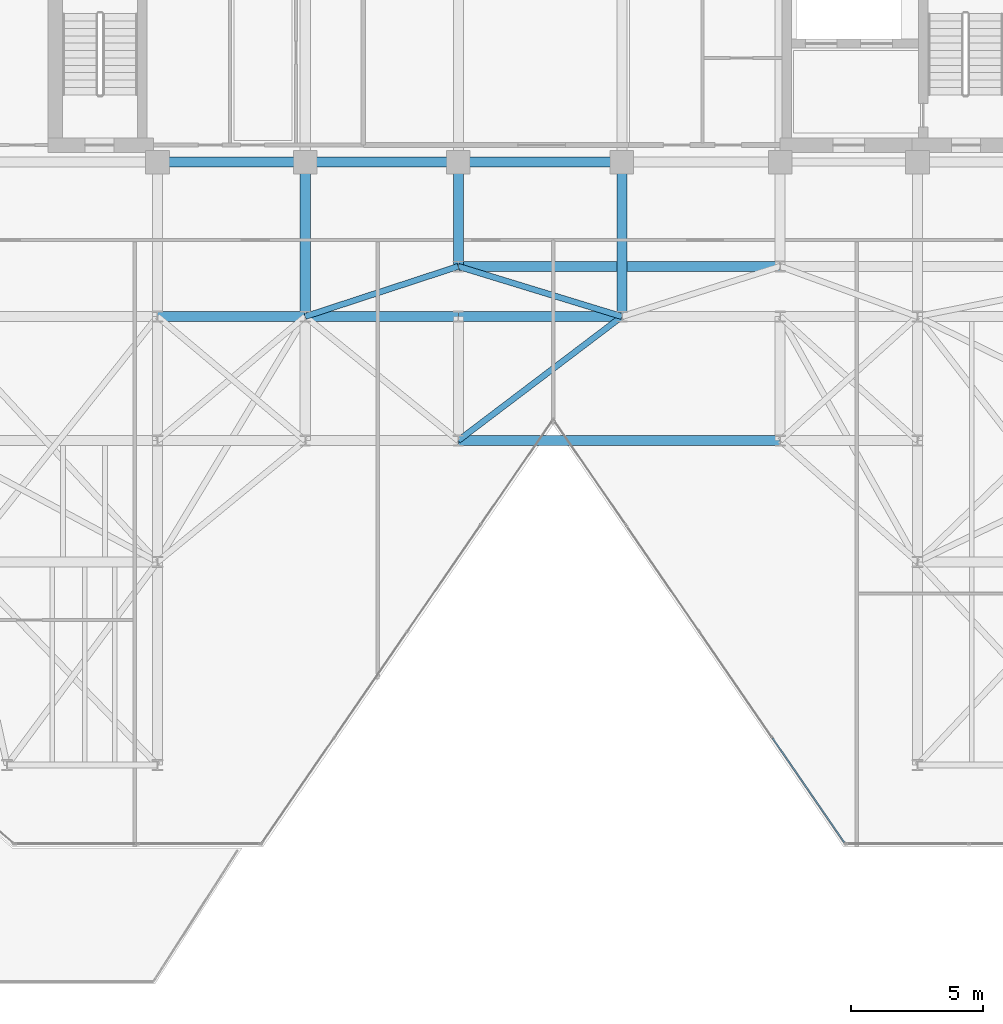
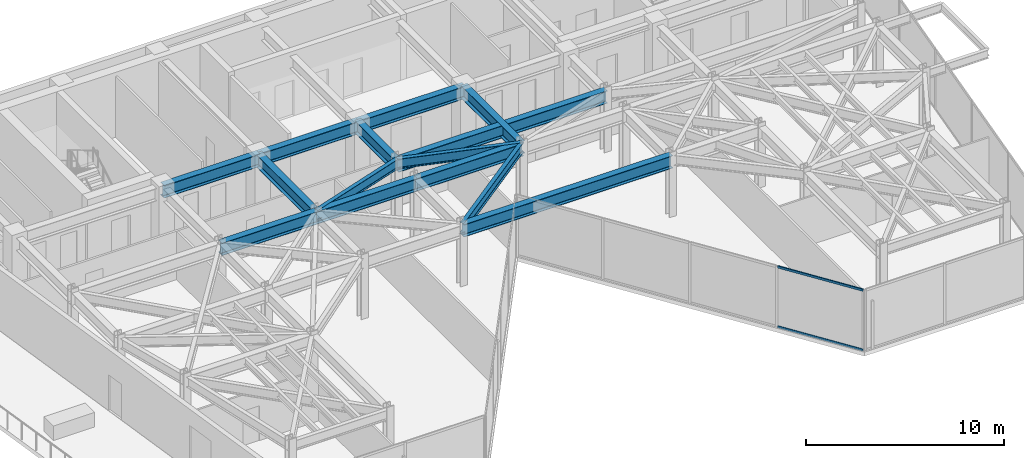
# One storey, part 7 of 21: 14 beams, 2 members, 1 element without a shape of its own.
"""IFC4 building model written with IfcOpenShell, lengths in metres."""

from ifc_helpers import new_model, si_unit, direction, frame, origin, origin_2d, place, context, subcontext, project, spatial, hollow_rectangle, i_section, extrude, material, layer, layer_set, material_profile, profile_set, type_object, element, aggregate, save


model = new_model("IFC4")

# Units and contexts
model_context = context("Model", 3, precision=1e-05, world=origin(), true_north=direction((0.0, 1.0)))
body_context = subcontext(model_context, "Body", "Model", "MODEL_VIEW")
ifc_project = project(units=[si_unit("LENGTHUNIT", "METRE"), si_unit("AREAUNIT", "SQUARE_METRE"), si_unit("VOLUMEUNIT", "CUBIC_METRE"), si_unit("PLANEANGLEUNIT", "RADIAN"), si_unit("MASSUNIT", "GRAM", prefix="KILO")], contexts=[model_context])

# Site, building, storey
site_placement = place(None, origin())
site = spatial("IfcSite", under=ifc_project, at=site_placement, CompositionType="ELEMENT")
building_placement = place(site_placement, origin())
building = spatial("IfcBuilding", under=site, at=building_placement, Name="Kravanh Interchange Tower", CompositionType="ELEMENT")
storey_placement = place(building_placement, frame((0.0, 0.0, 160.5)))
storey = spatial("IfcBuildingStorey", under=building, at=storey_placement, Name="L38", CompositionType="ELEMENT", Elevation=160.5)

# Curtain wall, members
ifc_material_1 = material(Name="Anodised Bronze Aluminium", Category="aluminium")
ifc_layer = layer(ifc_material_1, 0.179931640625)
ifc_layer_set = layer_set([ifc_layer], Name="Unitised Curtain Wall System CW-Z3 Upper Office")
curtain_wall_type = type_object("IfcCurtainWallType", Name="Unitised Curtain Wall System CW-Z3 Upper Office", PredefinedType="NOTDEFINED", material=ifc_layer_set)
curtain_wall_placement = place(storey_placement, origin())
curtain_wall = element("IfcCurtainWall", 1, at=curtain_wall_placement, inside=storey, type_object=curtain_wall_type, Name="L38 Unitised Curtain Wall CW-L38-04", PredefinedType="NOTDEFINED")
ifc_material_2 = material(Name="Anodised Bronze Aluminium", Category="aluminium")
ifc_material_profile_1 = material_profile(ifc_material_2, hollow_rectangle(XDim=0.06005859375, YDim=0.139892578125, WallThickness=0.00390625, at=origin_2d()), Name="ALU60X140X4")
ifc_profile_set_1 = profile_set([ifc_material_profile_1], Name="Anodised Bronze Aluminium")
member_type = type_object("IfcMemberType", Name="Curtain Wall Transom ALU60X140X4 Bronze", PredefinedType="USERDEFINED", material=ifc_profile_set_1)
member_1_placement = place(storey_placement, frame((53.22900390625, 11.5693359375, 0.030029296875), z_axis=(-0.566483415384, 0.824073140016, 0.0), x_axis=(-0.824073140016, -0.566483415384, 0.0)))
member_1 = element("IfcMember", 2, at=member_1_placement, type_object=member_type, Name="CW-Z3 transom 1.1", ObjectType="TRANSOM", PredefinedType="USERDEFINED", context=body_context, shape_type="SweptSolid", body=[
    extrude(hollow_rectangle(XDim=0.06005859375, YDim=0.139892578125, WallThickness=0.00390625, at=origin_2d()), origin(), (0.0, 0.0, 1.0), 4.7919921875),
])
member_2_placement = place(storey_placement, frame((53.22900390625, 11.5693359375, 3.72509765625), z_axis=(-0.566483415384, 0.824073140016, 0.0), x_axis=(-0.824073140016, -0.566483415384, 0.0)))
member_2 = element("IfcMember", 3, at=member_2_placement, type_object=member_type, Name="CW-Z3 transom 1.2", ObjectType="TRANSOM", PredefinedType="USERDEFINED", context=body_context, shape_type="SweptSolid", body=[
    extrude(hollow_rectangle(XDim=0.06005859375, YDim=0.139892578125, WallThickness=0.00390625, at=origin_2d()), origin(), (0.0, 0.0, 1.0), 4.7919921875),
])
aggregate(curtain_wall, [member_1, member_2])

# Beams
ifc_material_3 = material(Name="Structural Steel S355", Category="steel")
ifc_material_profile_2 = material_profile(ifc_material_3, i_section(OverallWidth=0.381103515625, OverallDepth=0.77294921875, WebThickness=0.0166015625, FlangeThickness=0.027099609375, FilletRadius=0.02490234375, at=origin_2d()), Name="W30X173")
ifc_profile_set_2 = profile_set([ifc_material_profile_2], Name="Structural Steel S355")
beam_type_1 = type_object("IfcBeamType", Name="Floor Beam W30X173 Structural Steel S355", PredefinedType="BEAM", material=ifc_profile_set_2)
beam_1_placement = place(storey_placement, frame((44.800048828125, 37.35009765625, 3.368408203125), z_axis=(0.0, -1.0, 0.0), x_axis=(1.0, 0.0, 0.0)))
element("IfcBeam", 4, at=beam_1_placement, inside=storey, type_object=beam_type_1, Name="L38 Primary Floor Girder 12", PredefinedType="BEAM", context=body_context, shape_type="SweptSolid", body=[
    extrude(i_section(OverallWidth=0.381103515625, OverallDepth=0.77294921875, WebThickness=0.0166015625, FlangeThickness=0.027099609375, FilletRadius=0.02490234375, at=origin_2d()), origin(), (0.0, 0.0, 1.0), 5.85009765625),
])
beam_2_placement = place(storey_placement, frame((44.800048828125, 37.35009765625, 3.368408203125), z_axis=(-1.0, 0.0, 0.0), x_axis=(0.0, -1.0, 0.0)))
element("IfcBeam", 5, at=beam_2_placement, inside=storey, type_object=beam_type_1, Name="L38 Primary Floor Girder 13", PredefinedType="BEAM", context=body_context, shape_type="SweptSolid", body=[
    extrude(i_section(OverallWidth=0.381103515625, OverallDepth=0.77294921875, WebThickness=0.0166015625, FlangeThickness=0.027099609375, FilletRadius=0.02490234375, at=origin_2d()), origin(), (0.0, 0.0, 1.0), 6.199951171875),
])
beam_3_placement = place(storey_placement, frame((38.60009765625, 37.35009765625, 3.368408203125), z_axis=(0.0, -1.0, 0.0), x_axis=(1.0, 0.0, 0.0)))
element("IfcBeam", 6, at=beam_3_placement, inside=storey, type_object=beam_type_1, Name="L38 Primary Floor Girder 16", PredefinedType="BEAM", context=body_context, shape_type="SweptSolid", body=[
    extrude(i_section(OverallWidth=0.381103515625, OverallDepth=0.77294921875, WebThickness=0.0166015625, FlangeThickness=0.027099609375, FilletRadius=0.02490234375, at=origin_2d()), origin(), (0.0, 0.0, 1.0), 3.9501953125),
])
beam_4_placement = place(storey_placement, frame((38.60009765625, 37.35009765625, 3.368408203125), z_axis=(-1.0, 0.0, 0.0), x_axis=(0.0, -1.0, 0.0)))
element("IfcBeam", 7, at=beam_4_placement, inside=storey, type_object=beam_type_1, Name="L38 Primary Floor Girder 17", PredefinedType="BEAM", context=body_context, shape_type="SweptSolid", body=[
    extrude(i_section(OverallWidth=0.381103515625, OverallDepth=0.77294921875, WebThickness=0.0166015625, FlangeThickness=0.027099609375, FilletRadius=0.02490234375, at=origin_2d()), origin(), (0.0, 0.0, 1.0), 5.800048828125),
])
beam_5_placement = place(storey_placement, frame((32.800048828125, 37.35009765625, 3.368408203125), z_axis=(-1.0, 0.0, 0.0), x_axis=(0.0, -1.0, 0.0)))
element("IfcBeam", 8, at=beam_5_placement, inside=storey, type_object=beam_type_1, Name="L38 Primary Floor Girder 20", PredefinedType="BEAM", context=body_context, shape_type="SweptSolid", body=[
    extrude(i_section(OverallWidth=0.381103515625, OverallDepth=0.77294921875, WebThickness=0.0166015625, FlangeThickness=0.027099609375, FilletRadius=0.02490234375, at=origin_2d()), origin(), (0.0, 0.0, 1.0), 5.60009765625),
])
beam_6_placement = place(storey_placement, frame((32.800048828125, 37.35009765625, 3.368408203125), z_axis=(0.0, -1.0, 0.0), x_axis=(1.0, 0.0, 0.0)))
element("IfcBeam", 9, at=beam_6_placement, inside=storey, type_object=beam_type_1, Name="L38 Primary Floor Girder 21", PredefinedType="BEAM", context=body_context, shape_type="SweptSolid", body=[
    extrude(i_section(OverallWidth=0.381103515625, OverallDepth=0.77294921875, WebThickness=0.0166015625, FlangeThickness=0.027099609375, FilletRadius=0.02490234375, at=origin_2d()), origin(), (0.0, 0.0, 1.0), 5.85009765625),
])
beam_7_placement = place(storey_placement, frame((38.60009765625, 26.800048828125, 3.368408203125), z_axis=(1.0, 0.0, 0.0), x_axis=(0.0, 1.0, 0.0)))
element("IfcBeam", 10, at=beam_7_placement, inside=storey, type_object=beam_type_1, Name="L38 Primary Floor Girder 48", PredefinedType="BEAM", context=body_context, shape_type="SweptSolid", body=[
    extrude(i_section(OverallWidth=0.381103515625, OverallDepth=0.77294921875, WebThickness=0.0166015625, FlangeThickness=0.027099609375, FilletRadius=0.02490234375, at=origin_2d()), origin(), (0.0, 0.0, 1.0), 12.199951171875),
])
beam_8_placement = place(storey_placement, frame((27.199951171875, 31.5, 3.368408203125), z_axis=(1.0, 0.0, 0.0), x_axis=(0.0, 1.0, 0.0)))
element("IfcBeam", 11, at=beam_8_placement, inside=storey, type_object=beam_type_1, Name="L38 Primary Floor Girder 64", PredefinedType="BEAM", context=body_context, shape_type="SweptSolid", body=[
    extrude(i_section(OverallWidth=0.381103515625, OverallDepth=0.77294921875, WebThickness=0.0166015625, FlangeThickness=0.027099609375, FilletRadius=0.02490234375, at=origin_2d()), origin(), (0.0, 0.0, 1.0), 5.60009765625),
])
beam_9_placement = place(storey_placement, frame((32.800048828125, 31.5, 3.368408203125), z_axis=(1.0, 0.0, 0.0), x_axis=(0.0, 1.0, 0.0)))
element("IfcBeam", 12, at=beam_9_placement, inside=storey, type_object=beam_type_1, Name="L38 Primary Floor Girder 67", PredefinedType="BEAM", context=body_context, shape_type="SweptSolid", body=[
    extrude(i_section(OverallWidth=0.381103515625, OverallDepth=0.77294921875, WebThickness=0.0166015625, FlangeThickness=0.027099609375, FilletRadius=0.02490234375, at=origin_2d()), origin(), (0.0, 0.0, 1.0), 5.800048828125),
])
beam_10_placement = place(storey_placement, frame((38.60009765625, 31.5, 3.368408203125), z_axis=(1.0, 0.0, 0.0), x_axis=(0.0, 1.0, 0.0)))
element("IfcBeam", 13, at=beam_10_placement, inside=storey, type_object=beam_type_1, Name="L38 Primary Floor Girder 72", PredefinedType="BEAM", context=body_context, shape_type="SweptSolid", body=[
    extrude(i_section(OverallWidth=0.381103515625, OverallDepth=0.77294921875, WebThickness=0.0166015625, FlangeThickness=0.027099609375, FilletRadius=0.02490234375, at=origin_2d()), origin(), (0.0, 0.0, 1.0), 6.199951171875),
])
beam_11_placement = place(storey_placement, frame((38.60009765625, 33.39990234375, 3.368408203125), z_axis=(1.0, 0.0, 0.0), x_axis=(0.0, 1.0, 0.0)))
element("IfcBeam", 14, at=beam_11_placement, inside=storey, type_object=beam_type_1, Name="L38 Primary Floor Girder 94", PredefinedType="BEAM", context=body_context, shape_type="SweptSolid", body=[
    extrude(i_section(OverallWidth=0.381103515625, OverallDepth=0.77294921875, WebThickness=0.0166015625, FlangeThickness=0.027099609375, FilletRadius=0.02490234375, at=origin_2d()), origin(), (0.0, 0.0, 1.0), 12.199951171875),
])
ifc_material_4 = material(Name="Structural Steel S355", Category="steel")
ifc_material_profile_3 = material_profile(ifc_material_4, i_section(OverallWidth=0.22802734375, OverallDepth=0.60791015625, WebThickness=0.01123046875, FlangeThickness=0.017333984375, FilletRadius=0.02197265625, at=origin_2d()), Name="W24X76")
ifc_profile_set_3 = profile_set([ifc_material_profile_3], Name="Structural Steel S355")
beam_type_2 = type_object("IfcBeamType", Name="Floor Spandrel W24X76 Structural Steel S355", PredefinedType="SPANDREL", material=ifc_profile_set_3)
beam_12_placement = place(storey_placement, frame((38.60009765625, 26.800048828125, 3.450927734375), z_axis=(0.796905365509, 0.604104161898, 0.0), x_axis=(-0.604104161898, 0.796905365509, 0.0)))
element("IfcBeam", 15, at=beam_12_placement, inside=storey, type_object=beam_type_2, Name="L38 Perimeter Spandrel 47", PredefinedType="SPANDREL", context=body_context, shape_type="SweptSolid", body=[
    extrude(i_section(OverallWidth=0.22802734375, OverallDepth=0.60791015625, WebThickness=0.01123046875, FlangeThickness=0.017333984375, FilletRadius=0.02197265625, at=origin_2d()), origin(), (0.0, 0.0, 1.0), 7.780029296875),
])
beam_13_placement = place(storey_placement, frame((32.800048828125, 31.5, 3.450927734375), z_axis=(0.950314536578, 0.31129131303, 0.0), x_axis=(-0.31129131303, 0.950314536578, 0.0)))
element("IfcBeam", 16, at=beam_13_placement, inside=storey, type_object=beam_type_2, Name="L38 Perimeter Spandrel 68", PredefinedType="SPANDREL", context=body_context, shape_type="SweptSolid", body=[
    extrude(i_section(OverallWidth=0.22802734375, OverallDepth=0.60791015625, WebThickness=0.01123046875, FlangeThickness=0.017333984375, FilletRadius=0.02197265625, at=origin_2d()), origin(), (0.0, 0.0, 1.0), 6.103271484375),
])
beam_14_placement = place(storey_placement, frame((44.800048828125, 31.5, 3.450927734375), z_axis=(-0.956115397264, 0.292990353279, 0.0), x_axis=(-0.292990353279, -0.956115397264, 0.0)))
element("IfcBeam", 17, at=beam_14_placement, inside=storey, type_object=beam_type_2, Name="L38 Perimeter Spandrel 76", PredefinedType="SPANDREL", context=body_context, shape_type="SweptSolid", body=[
    extrude(i_section(OverallWidth=0.22802734375, OverallDepth=0.60791015625, WebThickness=0.01123046875, FlangeThickness=0.017333984375, FilletRadius=0.02197265625, at=origin_2d()), origin(), (0.0, 0.0, 1.0), 6.484619140625),
])

save(model, "model.ifc")
